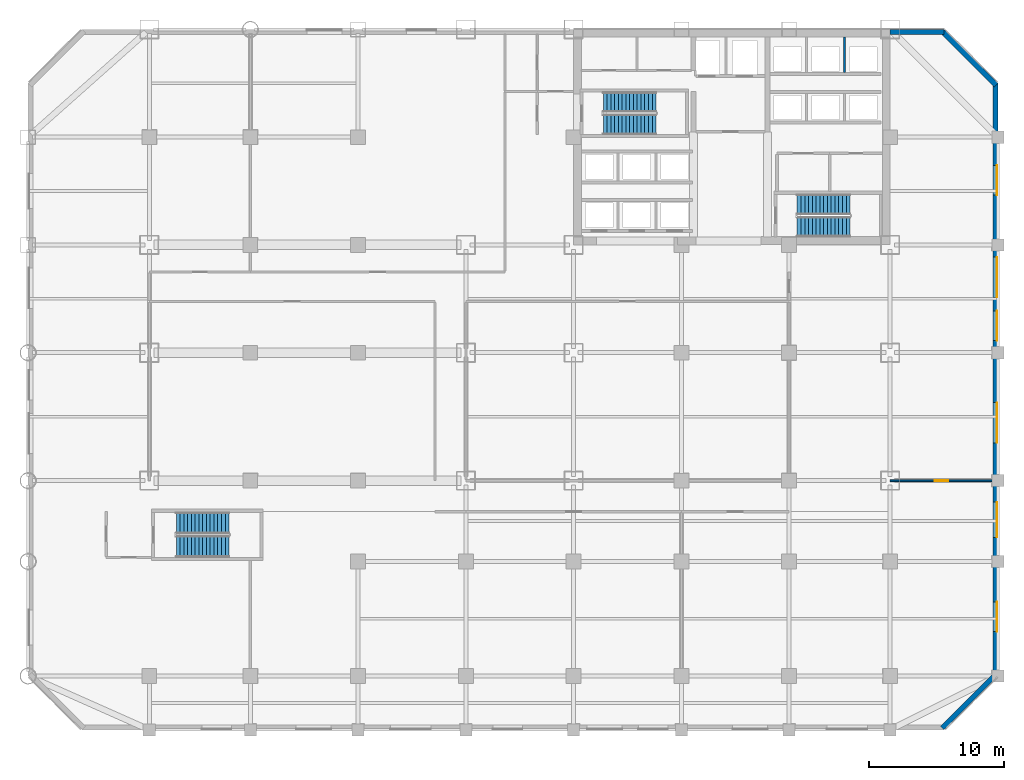
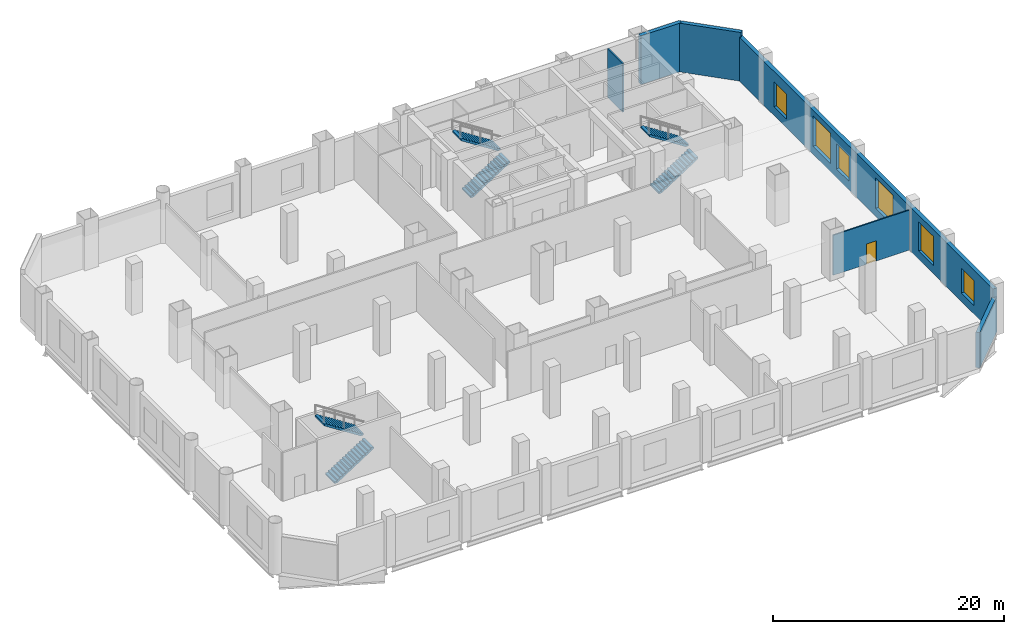
# One storey, part 6 of 10: 6 stair flights, 6 walls, 6 windows, 1 door, 7 openings, 3 elements without a shape of their own.
"""IFC4 building model written with IfcOpenShell, lengths in metres."""

from ifc_helpers import new_model, si_unit, direction, frame, frame_2d, origin, place, context, subcontext, project, spatial, polyline, rectangle, outline, extrude, material, layer, layer_set, type_object, element, fill, aggregate, save


model = new_model("IFC4")

# Units and contexts
model_context = context("Model", 3, precision=1e-05, world=origin(), true_north=direction((0.0, 1.0)))
body_context = subcontext(model_context, "Body", "Model", "MODEL_VIEW")
ifc_project = project(units=[si_unit("LENGTHUNIT", "METRE"), si_unit("AREAUNIT", "SQUARE_METRE"), si_unit("VOLUMEUNIT", "CUBIC_METRE"), si_unit("PLANEANGLEUNIT", "RADIAN"), si_unit("MASSUNIT", "GRAM", prefix="KILO")], contexts=[model_context])

# Site, building, storey
site_placement = place(None, origin())
site = spatial("IfcSite", under=ifc_project, at=site_placement, CompositionType="ELEMENT")
building_placement = place(site_placement, origin())
building = spatial("IfcBuilding", under=site, at=building_placement, Name="Qianrong Seaharbour Tower", CompositionType="ELEMENT")
storey_placement = place(building_placement, frame((0.0, 0.0, 17.39990234375)))
storey = spatial("IfcBuildingStorey", under=building, at=storey_placement, Name="L04", CompositionType="ELEMENT", Elevation=17.39990234375)

# Walls
ifc_material_1 = material(Name="Natural honed granite dimension stone", Category="masonry")
ifc_layer_1 = layer(ifc_material_1, 0.3798828125)
ifc_layer_set_1 = layer_set([ifc_layer_1], Name="Natural honed granite dimension stone")
wall_type_1 = type_object("IfcWallType", Name="WALL-EXT-GRANITE-380", PredefinedType="SOLIDWALL", material=ifc_layer_set_1)
wall_1_placement = place(storey_placement, frame((63.97998046875, 51.81005859375, 0.0), z_axis=(0.0, 0.0, 1.0), x_axis=(1.0, 0.0, 0.0)))
element("IfcWall", 1, at=wall_1_placement, inside=storey, type_object=wall_type_1, Name="L04 North-East Podium Facade Wall", PredefinedType="SOLIDWALL", context=body_context, shape_type="SweptSolid", body=[
    extrude(rectangle(XDim=4.02001953125, YDim=0.3798828125, at=frame_2d((2.010009765625, 0.0))), origin(), (0.0, 0.0, 1.0), 5.14013671875),
])
wall_2_placement = place(storey_placement, frame((67.86572265625, 51.86572265625, 0.0), z_axis=(0.0, 0.0, 1.0), x_axis=(0.707106781187, -0.707106781187, 0.0)))
element("IfcWall", 2, at=wall_2_placement, inside=storey, type_object=wall_type_1, Name="L04 Exterior Masonry Facade Wall E03", PredefinedType="SOLIDWALL", context=body_context, shape_type="SweptSolid", body=[
    extrude(rectangle(XDim=5.65673828125, YDim=0.3798828125, at=frame_2d((2.828369140625, 0.0))), origin(), (0.0, 0.0, 1.0), 5.14013671875),
])

# Wall, openings, windows
wall_3_placement = place(storey_placement, frame((71.81005859375, 48.0, 0.0), z_axis=(0.0, 0.0, 1.0), x_axis=(0.0, -1.0, 0.0)))
wall_3 = element("IfcWall", 3, at=wall_3_placement, inside=storey, type_object=wall_type_1, Name="L04 Exterior Masonry Facade Wall EAST_WING", PredefinedType="SOLIDWALL", context=body_context, shape_type="SweptSolid", body=[
    extrude(rectangle(XDim=44.0, YDim=0.3798828125, at=frame_2d((22.0, 0.0))), origin(), (0.0, 0.0, 1.0), 4.64013671875),
])
opening_1_placement = place(wall_3_placement, frame((6.10009765625, 0.0, 0.89990234375)))
opening_1 = element("IfcOpeningElement", 4, at=opening_1_placement, cuts=wall_3, Name="Opening WN-10", PredefinedType="OPENING", context=body_context, shape_type="SweptSolid", body=[
    extrude(rectangle(XDim=2.199951171875, YDim=2.64990234375, at=frame_2d((1.10009765625, 1.324951171875))), frame((0.0, 0.199951171875, 0.0), z_axis=(0.0, -1.0, 0.0), x_axis=(1.0, 0.0, 0.0)), (0.0, 0.0, 1.0), 0.39990234375),
])
opening_2_placement = place(wall_3_placement, frame((12.89990234375, 0.0, 0.85009765625)))
opening_2 = element("IfcOpeningElement", 5, at=opening_2_placement, cuts=wall_3, Name="Opening WN-12", PredefinedType="OPENING", context=body_context, shape_type="SweptSolid", body=[
    extrude(rectangle(XDim=3.0, YDim=3.199951171875, at=frame_2d((1.5, 1.60009765625))), frame((0.0, 0.199951171875, 0.0), z_axis=(0.0, -1.0, 0.0), x_axis=(1.0, 0.0, 0.0)), (0.0, 0.0, 1.0), 0.39990234375),
])
opening_3_placement = place(wall_3_placement, frame((16.89990234375, 0.0, 0.89990234375)))
opening_3 = element("IfcOpeningElement", 6, at=opening_3_placement, cuts=wall_3, Name="Opening WN-10", PredefinedType="OPENING", context=body_context, shape_type="SweptSolid", body=[
    extrude(rectangle(XDim=2.199951171875, YDim=2.64990234375, at=frame_2d((1.10009765625, 1.324951171875))), frame((0.0, 0.199951171875, 0.0), z_axis=(0.0, -1.0, 0.0), x_axis=(1.0, 0.0, 0.0)), (0.0, 0.0, 1.0), 0.39990234375),
])
opening_4_placement = place(wall_3_placement, frame((23.699951171875, 0.0, 0.85009765625)))
opening_4 = element("IfcOpeningElement", 7, at=opening_4_placement, cuts=wall_3, Name="Opening WN-12", PredefinedType="OPENING", context=body_context, shape_type="SweptSolid", body=[
    extrude(rectangle(XDim=3.0, YDim=3.199951171875, at=frame_2d((1.5, 1.60009765625))), frame((0.0, 0.199951171875, 0.0), z_axis=(0.0, -1.0, 0.0), x_axis=(1.0, 0.0, 0.0)), (0.0, 0.0, 1.0), 0.39990234375),
])
opening_5_placement = place(wall_3_placement, frame((31.10009765625, 0.0, 0.85009765625)))
opening_5 = element("IfcOpeningElement", 8, at=opening_5_placement, cuts=wall_3, Name="Opening WN-11", PredefinedType="OPENING", context=body_context, shape_type="SweptSolid", body=[
    extrude(rectangle(XDim=2.60009765625, YDim=3.10009765625, at=frame_2d((1.300048828125, 1.550048828125))), frame((0.0, 0.199951171875, 0.0), z_axis=(0.0, -1.0, 0.0), x_axis=(1.0, 0.0, 0.0)), (0.0, 0.0, 1.0), 0.39990234375),
])
opening_6_placement = place(wall_3_placement, frame((38.5, 0.0, 0.89990234375)))
opening_6 = element("IfcOpeningElement", 9, at=opening_6_placement, cuts=wall_3, Name="Opening WN-10", PredefinedType="OPENING", context=body_context, shape_type="SweptSolid", body=[
    extrude(rectangle(XDim=2.199951171875, YDim=2.64990234375, at=frame_2d((1.10009765625, 1.324951171875))), frame((0.0, 0.199951171875, 0.0), z_axis=(0.0, -1.0, 0.0), x_axis=(1.0, 0.0, 0.0)), (0.0, 0.0, 1.0), 0.39990234375),
])
ifc_material_2 = material(Name="Insulated low-e double glazing in thermally broken aluminium 6063-T6 frame", Category="aluminium")
window_type_1 = type_object("IfcWindowType", Name="WIN-POD-2600x3100", PartitioningType="TRIPLE_PANEL_VERTICAL", PredefinedType="WINDOW", material=ifc_material_2)
window_1_placement = place(opening_5_placement, origin())
window_1 = element("IfcWindow", 10, at=window_1_placement, inside=storey, type_object=window_type_1, Name="L04 Deep-Set Punched Window 04.09", OverallHeight=3.10009765625, OverallWidth=2.60009765625, PartitioningType="TRIPLE_PANEL_VERTICAL", PredefinedType="WINDOW", context=body_context, shape_type="SweptSolid", body=[
    extrude(rectangle(XDim=2.60009765625, YDim=3.10009765625, at=frame_2d((1.300048828125, 1.550048828125))), frame((0.0, 0.150146484375, 0.0), z_axis=(0.0, -1.0, 0.0), x_axis=(1.0, 0.0, 0.0)), (0.0, 0.0, 1.0), 0.06005859375),
])
fill(opening_5, window_1)
window_type_2 = type_object("IfcWindowType", Name="WIN-POD-3000x3200", PartitioningType="TRIPLE_PANEL_VERTICAL", PredefinedType="WINDOW", material=ifc_material_2)
window_2_placement = place(opening_2_placement, origin())
window_2 = element("IfcWindow", 11, at=window_2_placement, inside=storey, type_object=window_type_2, Name="L04 Deep-Set Punched Window 04.04", OverallHeight=3.199951171875, OverallWidth=3.0, PartitioningType="TRIPLE_PANEL_VERTICAL", PredefinedType="WINDOW", context=body_context, shape_type="SweptSolid", body=[
    extrude(rectangle(XDim=3.0, YDim=3.199951171875, at=frame_2d((1.5, 1.60009765625))), frame((0.0, 0.150146484375, 0.0), z_axis=(0.0, -1.0, 0.0), x_axis=(1.0, 0.0, 0.0)), (0.0, 0.0, 1.0), 0.06005859375),
])
fill(opening_2, window_2)
window_3_placement = place(opening_4_placement, origin())
window_3 = element("IfcWindow", 12, at=window_3_placement, inside=storey, type_object=window_type_2, Name="L04 Deep-Set Punched Window 04.07", OverallHeight=3.199951171875, OverallWidth=3.0, PartitioningType="TRIPLE_PANEL_VERTICAL", PredefinedType="WINDOW", context=body_context, shape_type="SweptSolid", body=[
    extrude(rectangle(XDim=3.0, YDim=3.199951171875, at=frame_2d((1.5, 1.60009765625))), frame((0.0, 0.150146484375, 0.0), z_axis=(0.0, -1.0, 0.0), x_axis=(1.0, 0.0, 0.0)), (0.0, 0.0, 1.0), 0.06005859375),
])
fill(opening_4, window_3)
window_type_3 = type_object("IfcWindowType", Name="WIN-PUNCH-2200x2650", PartitioningType="TRIPLE_PANEL_VERTICAL", PredefinedType="WINDOW", material=ifc_material_2)
window_4_placement = place(opening_1_placement, origin())
window_4 = element("IfcWindow", 13, at=window_4_placement, inside=storey, type_object=window_type_3, Name="L04 Deep-Set Punched Window 04.02", OverallHeight=2.64990234375, OverallWidth=2.199951171875, PartitioningType="TRIPLE_PANEL_VERTICAL", PredefinedType="WINDOW", context=body_context, shape_type="SweptSolid", body=[
    extrude(rectangle(XDim=2.199951171875, YDim=2.64990234375, at=frame_2d((1.10009765625, 1.324951171875))), frame((0.0, 0.150146484375, 0.0), z_axis=(0.0, -1.0, 0.0), x_axis=(1.0, 0.0, 0.0)), (0.0, 0.0, 1.0), 0.06005859375),
])
fill(opening_1, window_4)
window_5_placement = place(opening_3_placement, origin())
window_5 = element("IfcWindow", 14, at=window_5_placement, inside=storey, type_object=window_type_3, Name="L04 Deep-Set Punched Window 04.05", OverallHeight=2.64990234375, OverallWidth=2.199951171875, PartitioningType="TRIPLE_PANEL_VERTICAL", PredefinedType="WINDOW", context=body_context, shape_type="SweptSolid", body=[
    extrude(rectangle(XDim=2.199951171875, YDim=2.64990234375, at=frame_2d((1.10009765625, 1.324951171875))), frame((0.0, 0.150146484375, 0.0), z_axis=(0.0, -1.0, 0.0), x_axis=(1.0, 0.0, 0.0)), (0.0, 0.0, 1.0), 0.06005859375),
])
fill(opening_3, window_5)
window_6_placement = place(opening_6_placement, origin())
window_6 = element("IfcWindow", 15, at=window_6_placement, inside=storey, type_object=window_type_3, Name="L04 Deep-Set Punched Window 04.11", OverallHeight=2.64990234375, OverallWidth=2.199951171875, PartitioningType="TRIPLE_PANEL_VERTICAL", PredefinedType="WINDOW", context=body_context, shape_type="SweptSolid", body=[
    extrude(rectangle(XDim=2.199951171875, YDim=2.64990234375, at=frame_2d((1.10009765625, 1.324951171875))), frame((0.0, 0.150146484375, 0.0), z_axis=(0.0, -1.0, 0.0), x_axis=(1.0, 0.0, 0.0)), (0.0, 0.0, 1.0), 0.06005859375),
])
fill(opening_6, window_6)

# Walls
wall_4_placement = place(storey_placement, frame((71.86572265625, 4.13427734375, 0.0), z_axis=(0.0, 0.0, 1.0), x_axis=(-0.707106781187, -0.707106781187, 0.0)))
element("IfcWall", 16, at=wall_4_placement, inside=storey, type_object=wall_type_1, Name="L04 Exterior Masonry Facade Wall E05", PredefinedType="SOLIDWALL", context=body_context, shape_type="SweptSolid", body=[
    extrude(rectangle(XDim=5.65673828125, YDim=0.3798828125, at=frame_2d((2.828369140625, 0.0))), origin(), (0.0, 0.0, 1.0), 3.739990234375),
])
ifc_material_3 = material(Name="Fire-rated gypsum board on steel studs", Category="steel")
ifc_layer_2 = layer(ifc_material_3, 0.14990234375)
ifc_layer_set_2 = layer_set([ifc_layer_2], Name="Fire-rated gypsum board on steel studs")
wall_type_2 = type_object("IfcWallType", Name="WALL-SHAFT-DIV-150", PredefinedType="PARTITIONING", material=ifc_layer_set_2)
wall_5_placement = place(storey_placement, frame((60.60009765625, 48.81005859375, 0.0), z_axis=(0.0, 0.0, 1.0), x_axis=(0.0, 1.0, 0.0)))
element("IfcWall", 17, at=wall_5_placement, inside=storey, type_object=wall_type_2, Name="L04 P4 Lift Hoistway Divider 3", PredefinedType="PARTITIONING", context=body_context, shape_type="SweptSolid", body=[
    extrude(rectangle(XDim=2.60986328125, YDim=0.14990234375, at=frame_2d((1.304931640625, 0.0))), origin(), (0.0, 0.0, 1.0), 5.14013671875),
])

# Wall, opening, door
ifc_material_4 = material(Name="Water-resistant cement board sanitary partition")
ifc_layer_3 = layer(ifc_material_4, 0.1298828125)
ifc_layer_set_3 = layer_set([ifc_layer_3], Name="Water-resistant cement board sanitary partition")
wall_type_3 = type_object("IfcWallType", Name="WALL-WET-PART-130", PredefinedType="PARTITIONING", material=ifc_layer_set_3)
wall_6_placement = place(storey_placement, frame((71.6279296875, 18.5, 0.0), z_axis=(0.0, 0.0, 1.0), x_axis=(-1.0, 0.0, 0.0)))
wall_6 = element("IfcWall", 18, at=wall_6_placement, inside=storey, type_object=wall_type_3, Name="L04 Interior Partition Wall 032", PredefinedType="PARTITIONING", context=body_context, shape_type="SweptSolid", body=[
    extrude(rectangle(XDim=7.6279296875, YDim=0.1298828125, at=frame_2d((3.81396484375, 0.0))), origin(), (0.0, 0.0, 1.0), 4.232177734375),
])
opening_7_placement = place(wall_6_placement, frame((3.31396484375, 0.0, 0.0)))
opening_7 = element("IfcOpeningElement", 19, at=opening_7_placement, cuts=wall_6, Name="Opening DO-01", PredefinedType="OPENING", context=body_context, shape_type="SweptSolid", body=[
    extrude(rectangle(XDim=1.0, YDim=2.14990234375, at=frame_2d((0.5, 1.074951171875))), frame((0.0, 0.074951171875, 0.0), z_axis=(0.0, -1.0, 0.0), x_axis=(1.0, 0.0, 0.0)), (0.0, 0.0, 1.0), 0.14990234375),
])
ifc_material_5 = material(Name="Acoustic timber and galvanized steel fire door assembly", Category="steel")
door_type = type_object("IfcDoorType", Name="DOOR-OFFICE-1000x2150", OperationType="NOTDEFINED", PredefinedType="DOOR", material=ifc_material_5)
door_placement = place(opening_7_placement, origin())
door = element("IfcDoor", 20, at=door_placement, inside=storey, type_object=door_type, Name="L04 Wet Pantry Door", OperationType="SINGLE_SWING_RIGHT", OverallHeight=2.14990234375, OverallWidth=1.0, PredefinedType="DOOR", context=body_context, shape_type="SweptSolid", body=[
    extrude(rectangle(XDim=1.0, YDim=2.14990234375, at=frame_2d((0.5, 1.074951171875))), frame((0.0, 0.02490234375, 0.0), z_axis=(0.0, -1.0, 0.0), x_axis=(1.0, 0.0, 0.0)), (0.0, 0.0, 1.0), 0.050048828125),
])
fill(opening_7, door)

# Stair, stair flights
ifc_material_6 = material(Name="Concrete C50/60", Category="concrete")
stair_type_1 = type_object("IfcStairType", Name="STAIR-DOGLEG-1500-R30", PredefinedType="HALF_TURN_STAIR", material=ifc_material_6)
stair_1_placement = place(storey_placement, origin())
stair_1 = element("IfcStair", 21, at=stair_1_placement, inside=storey, type_object=stair_type_1, Name="L04 Protected Escape Stair ST-1", PredefinedType="HALF_TURN_STAIR")
stair_flight_type_1 = type_object("IfcStairFlightType", Name="FLIGHT-STR-1500-R30", PredefinedType="STRAIGHT", material=ifc_material_6)
stair_flight_1_placement = place(storey_placement, frame((42.699951171875, 44.949951171875, 0.0), z_axis=(0.0, 0.0, 1.0), x_axis=(1.0, 0.0, 0.0)))
stair_flight_1 = element("IfcStairFlight", 22, at=stair_flight_1_placement, type_object=stair_flight_type_1, Name="ST-1 flight 1", NumberOfRisers=15, NumberOfTreads=14, PredefinedType="STRAIGHT", RiserHeight=0.18, TreadLength=0.28, context=body_context, shape_type="SweptSolid", body=[
    extrude(outline(polyline([(0.0, 0.0), (0.0, 0.179931640625), (0.280029296875, 0.179931640625), (0.280029296875, 0.360107421875), (0.56005859375, 0.360107421875), (0.56005859375, 0.5400390625), (0.840087890625, 0.5400390625), (0.840087890625, 0.719970703125), (1.1201171875, 0.719970703125), (1.1201171875, 0.89990234375), (1.39990234375, 0.89990234375), (1.39990234375, 1.080078125), (1.679931640625, 1.080078125), (1.679931640625, 1.260009765625), (1.9599609375, 1.260009765625), (1.9599609375, 1.43994140625), (2.239990234375, 1.43994140625), (2.239990234375, 1.6201171875), (2.52001953125, 1.6201171875), (2.52001953125, 1.800048828125), (2.800048828125, 1.800048828125), (2.800048828125, 1.97998046875), (3.080078125, 1.97998046875), (3.080078125, 2.159912109375), (3.360107421875, 2.159912109375), (3.360107421875, 2.340087890625), (3.639892578125, 2.340087890625), (3.639892578125, 2.52001953125), (3.919921875, 2.52001953125), (3.919921875, 2.699951171875), (3.919921875, 2.329833984375), (0.295654296875, 0.0), (0.0, 0.0)])), frame((0.0, 0.75, 0.0), z_axis=(0.0, -1.0, 0.0), x_axis=(1.0, 0.0, 0.0)), (0.0, 0.0, 1.0), 1.5),
])
stair_flight_2_placement = place(storey_placement, frame((46.6201171875, 46.60009765625, 2.7001953125), z_axis=(0.0, 0.0, 1.0), x_axis=(-1.0, 0.0, 0.0)))
stair_flight_2 = element("IfcStairFlight", 23, at=stair_flight_2_placement, type_object=stair_flight_type_1, Name="ST-1 flight 2", NumberOfRisers=15, NumberOfTreads=14, PredefinedType="STRAIGHT", RiserHeight=0.18, TreadLength=0.28, context=body_context, shape_type="SweptSolid", body=[
    extrude(outline(polyline([(0.0, 0.0), (0.0, 0.179931640625), (0.280029296875, 0.179931640625), (0.280029296875, 0.360107421875), (0.56005859375, 0.360107421875), (0.56005859375, 0.5400390625), (0.840087890625, 0.5400390625), (0.840087890625, 0.719970703125), (1.1201171875, 0.719970703125), (1.1201171875, 0.89990234375), (1.39990234375, 0.89990234375), (1.39990234375, 1.080078125), (1.679931640625, 1.080078125), (1.679931640625, 1.260009765625), (1.9599609375, 1.260009765625), (1.9599609375, 1.43994140625), (2.239990234375, 1.43994140625), (2.239990234375, 1.6201171875), (2.52001953125, 1.6201171875), (2.52001953125, 1.800048828125), (2.800048828125, 1.800048828125), (2.800048828125, 1.97998046875), (3.080078125, 1.97998046875), (3.080078125, 2.159912109375), (3.360107421875, 2.159912109375), (3.360107421875, 2.340087890625), (3.639892578125, 2.340087890625), (3.639892578125, 2.52001953125), (3.919921875, 2.52001953125), (3.919921875, 2.699951171875), (3.919921875, 2.329833984375), (0.295654296875, 0.0), (0.0, 0.0)])), frame((0.0, 0.75, 0.0), z_axis=(0.0, -1.0, 0.0), x_axis=(1.0, 0.0, 0.0)), (0.0, 0.0, 1.0), 1.5),
])
aggregate(stair_1, [stair_flight_1, stair_flight_2])

stair_2_placement = place(storey_placement, origin())
stair_2 = element("IfcStair", 24, at=stair_2_placement, inside=storey, type_object=stair_type_1, Name="L04 Protected Escape Stair ST-2", PredefinedType="HALF_TURN_STAIR")
stair_flight_3_placement = place(storey_placement, frame((57.10009765625, 37.35009765625, 0.0), z_axis=(0.0, 0.0, 1.0), x_axis=(1.0, 0.0, 0.0)))
stair_flight_3 = element("IfcStairFlight", 25, at=stair_flight_3_placement, type_object=stair_flight_type_1, Name="ST-2 flight 1", NumberOfRisers=15, NumberOfTreads=14, PredefinedType="STRAIGHT", RiserHeight=0.18, TreadLength=0.28, context=body_context, shape_type="SweptSolid", body=[
    extrude(outline(polyline([(0.0, 0.0), (0.0, 0.179931640625), (0.280029296875, 0.179931640625), (0.280029296875, 0.360107421875), (0.56005859375, 0.360107421875), (0.56005859375, 0.5400390625), (0.840087890625, 0.5400390625), (0.840087890625, 0.719970703125), (1.1201171875, 0.719970703125), (1.1201171875, 0.89990234375), (1.39990234375, 0.89990234375), (1.39990234375, 1.080078125), (1.679931640625, 1.080078125), (1.679931640625, 1.260009765625), (1.9599609375, 1.260009765625), (1.9599609375, 1.43994140625), (2.239990234375, 1.43994140625), (2.239990234375, 1.6201171875), (2.52001953125, 1.6201171875), (2.52001953125, 1.800048828125), (2.800048828125, 1.800048828125), (2.800048828125, 1.97998046875), (3.080078125, 1.97998046875), (3.080078125, 2.159912109375), (3.360107421875, 2.159912109375), (3.360107421875, 2.340087890625), (3.639892578125, 2.340087890625), (3.639892578125, 2.52001953125), (3.919921875, 2.52001953125), (3.919921875, 2.699951171875), (3.919921875, 2.329833984375), (0.295654296875, 0.0), (0.0, 0.0)])), frame((0.0, 0.75, 0.0), z_axis=(0.0, -1.0, 0.0), x_axis=(1.0, 0.0, 0.0)), (0.0, 0.0, 1.0), 1.5),
])
stair_flight_4_placement = place(storey_placement, frame((61.02001953125, 39.0, 2.7001953125), z_axis=(0.0, 0.0, 1.0), x_axis=(-1.0, 0.0, 0.0)))
stair_flight_4 = element("IfcStairFlight", 26, at=stair_flight_4_placement, type_object=stair_flight_type_1, Name="ST-2 flight 2", NumberOfRisers=15, NumberOfTreads=14, PredefinedType="STRAIGHT", RiserHeight=0.18, TreadLength=0.28, context=body_context, shape_type="SweptSolid", body=[
    extrude(outline(polyline([(0.0, 0.0), (0.0, 0.179931640625), (0.280029296875, 0.179931640625), (0.280029296875, 0.360107421875), (0.56005859375, 0.360107421875), (0.56005859375, 0.5400390625), (0.840087890625, 0.5400390625), (0.840087890625, 0.719970703125), (1.1201171875, 0.719970703125), (1.1201171875, 0.89990234375), (1.39990234375, 0.89990234375), (1.39990234375, 1.080078125), (1.679931640625, 1.080078125), (1.679931640625, 1.260009765625), (1.9599609375, 1.260009765625), (1.9599609375, 1.43994140625), (2.239990234375, 1.43994140625), (2.239990234375, 1.6201171875), (2.52001953125, 1.6201171875), (2.52001953125, 1.800048828125), (2.800048828125, 1.800048828125), (2.800048828125, 1.97998046875), (3.080078125, 1.97998046875), (3.080078125, 2.159912109375), (3.360107421875, 2.159912109375), (3.360107421875, 2.340087890625), (3.639892578125, 2.340087890625), (3.639892578125, 2.52001953125), (3.919921875, 2.52001953125), (3.919921875, 2.699951171875), (3.919921875, 2.329833984375), (0.295654296875, 0.0), (0.0, 0.0)])), frame((0.0, 0.75, 0.0), z_axis=(0.0, -1.0, 0.0), x_axis=(1.0, 0.0, 0.0)), (0.0, 0.0, 1.0), 1.5),
])
aggregate(stair_2, [stair_flight_3, stair_flight_4])

stair_type_2 = type_object("IfcStairType", Name="STAIR-DOGLEG-1600-R30", PredefinedType="HALF_TURN_STAIR", material=ifc_material_6)
stair_3_placement = place(storey_placement, origin())
stair_3 = element("IfcStair", 27, at=stair_3_placement, inside=storey, type_object=stair_type_2, Name="L04 Protected Escape Stair PST-3", PredefinedType="HALF_TURN_STAIR")
stair_flight_type_2 = type_object("IfcStairFlightType", Name="FLIGHT-STR-1600-R30", PredefinedType="STRAIGHT", material=ifc_material_6)
stair_flight_5_placement = place(storey_placement, frame((11.0, 13.60009765625, 0.0), z_axis=(0.0, 0.0, 1.0), x_axis=(1.0, 0.0, 0.0)))
stair_flight_5 = element("IfcStairFlight", 28, at=stair_flight_5_placement, type_object=stair_flight_type_2, Name="PST-3 flight 1", NumberOfRisers=15, NumberOfTreads=14, PredefinedType="STRAIGHT", RiserHeight=0.18, TreadLength=0.28, context=body_context, shape_type="SweptSolid", body=[
    extrude(outline(polyline([(0.0, 0.0), (0.0, 0.179931640625), (0.280029296875, 0.179931640625), (0.280029296875, 0.360107421875), (0.56005859375, 0.360107421875), (0.56005859375, 0.5400390625), (0.840087890625, 0.5400390625), (0.840087890625, 0.719970703125), (1.1201171875, 0.719970703125), (1.1201171875, 0.89990234375), (1.39990234375, 0.89990234375), (1.39990234375, 1.080078125), (1.679931640625, 1.080078125), (1.679931640625, 1.260009765625), (1.9599609375, 1.260009765625), (1.9599609375, 1.43994140625), (2.239990234375, 1.43994140625), (2.239990234375, 1.6201171875), (2.52001953125, 1.6201171875), (2.52001953125, 1.800048828125), (2.800048828125, 1.800048828125), (2.800048828125, 1.97998046875), (3.080078125, 1.97998046875), (3.080078125, 2.159912109375), (3.360107421875, 2.159912109375), (3.360107421875, 2.340087890625), (3.639892578125, 2.340087890625), (3.639892578125, 2.52001953125), (3.919921875, 2.52001953125), (3.919921875, 2.699951171875), (3.919921875, 2.329833984375), (0.295654296875, 0.0), (0.0, 0.0)])), frame((0.0, 0.800048828125, 0.0), z_axis=(0.0, -1.0, 0.0), x_axis=(1.0, 0.0, 0.0)), (0.0, 0.0, 1.0), 1.60009765625),
])
stair_flight_6_placement = place(storey_placement, frame((14.919921875, 15.35009765625, 2.7001953125), z_axis=(0.0, 0.0, 1.0), x_axis=(-1.0, 0.0, 0.0)))
stair_flight_6 = element("IfcStairFlight", 29, at=stair_flight_6_placement, type_object=stair_flight_type_2, Name="PST-3 flight 2", NumberOfRisers=15, NumberOfTreads=14, PredefinedType="STRAIGHT", RiserHeight=0.18, TreadLength=0.28, context=body_context, shape_type="SweptSolid", body=[
    extrude(outline(polyline([(0.0, 0.0), (0.0, 0.179931640625), (0.280029296875, 0.179931640625), (0.280029296875, 0.360107421875), (0.56005859375, 0.360107421875), (0.56005859375, 0.5400390625), (0.840087890625, 0.5400390625), (0.840087890625, 0.719970703125), (1.1201171875, 0.719970703125), (1.1201171875, 0.89990234375), (1.39990234375, 0.89990234375), (1.39990234375, 1.080078125), (1.679931640625, 1.080078125), (1.679931640625, 1.260009765625), (1.9599609375, 1.260009765625), (1.9599609375, 1.43994140625), (2.239990234375, 1.43994140625), (2.239990234375, 1.6201171875), (2.52001953125, 1.6201171875), (2.52001953125, 1.800048828125), (2.800048828125, 1.800048828125), (2.800048828125, 1.97998046875), (3.080078125, 1.97998046875), (3.080078125, 2.159912109375), (3.360107421875, 2.159912109375), (3.360107421875, 2.340087890625), (3.639892578125, 2.340087890625), (3.639892578125, 2.52001953125), (3.919921875, 2.52001953125), (3.919921875, 2.699951171875), (3.919921875, 2.329833984375), (0.295654296875, 0.0), (0.0, 0.0)])), frame((0.0, 0.800048828125, 0.0), z_axis=(0.0, -1.0, 0.0), x_axis=(1.0, 0.0, 0.0)), (0.0, 0.0, 1.0), 1.60009765625),
])
aggregate(stair_3, [stair_flight_5, stair_flight_6])

save(model, "model.ifc")
